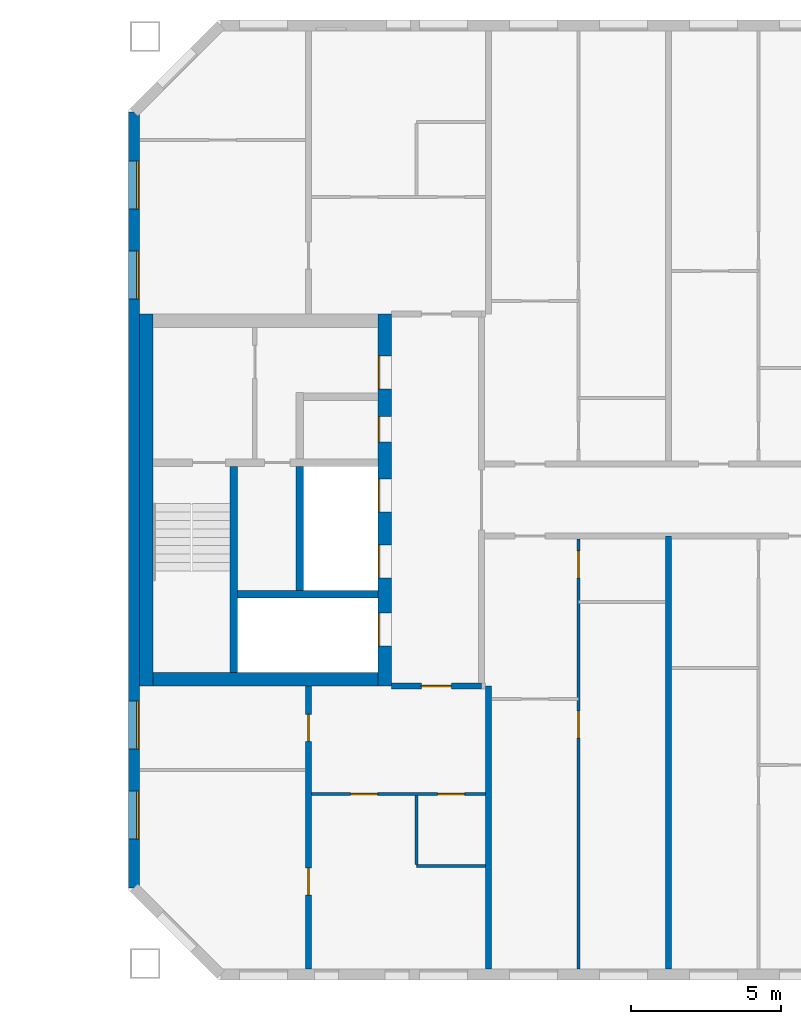
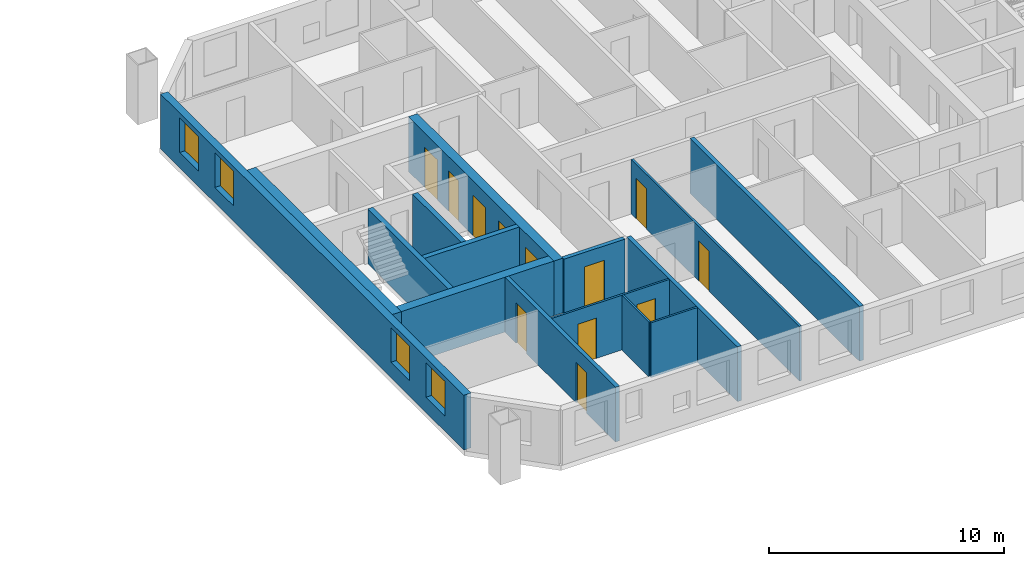
# One storey, part 9 of 16: 15 walls, 12 doors, 4 windows, 16 openings.
"""IFC4 building model written with IfcOpenShell, lengths in metres."""

from ifc_helpers import new_model, si_unit, direction, frame, frame_2d, origin, place, context, subcontext, project, spatial, rectangle, extrude, material, layer, layer_set, type_object, element, fill, save


model = new_model("IFC4")

# Units and contexts
model_context = context("Model", 3, precision=1e-05, world=origin(), true_north=direction((0.0, 1.0)))
body_context = subcontext(model_context, "Body", "Model", "MODEL_VIEW")
ifc_project = project(units=[si_unit("LENGTHUNIT", "METRE"), si_unit("AREAUNIT", "SQUARE_METRE"), si_unit("VOLUMEUNIT", "CUBIC_METRE"), si_unit("PLANEANGLEUNIT", "RADIAN"), si_unit("MASSUNIT", "GRAM", prefix="KILO")], contexts=[model_context])

# Site, building, storey
site_placement = place(None, origin())
site = spatial("IfcSite", under=ifc_project, at=site_placement, CompositionType="ELEMENT")
building_placement = place(site_placement, origin())
building = spatial("IfcBuilding", under=site, at=building_placement, Name="Tuart Gate Housing", CompositionType="ELEMENT")
storey_placement = place(building_placement, frame((0.0, 0.0, 178.89990234375)))
storey = spatial("IfcBuildingStorey", under=building, at=storey_placement, Name="L50", CompositionType="ELEMENT", Elevation=178.89990234375)

# Wall, openings, windows
ifc_material_1 = material(Name="Brick", Category="masonry")
ifc_layer_1 = layer(ifc_material_1, 0.360107421875)
ifc_layer_set_1 = layer_set([ifc_layer_1], Name="Brick pier and spandrel wall 360")
wall_type_1 = type_object("IfcWallType", Name="Brick pier and spandrel wall 360", PredefinedType="STANDARD", material=ifc_layer_set_1)
wall_1_placement = place(storey_placement, frame((131.179931640625, 82.92529296875, 0.0), z_axis=(0.0, 0.0, 1.0), x_axis=(0.0, -1.0, 0.0)))
wall_1 = element("IfcWall", 1, at=wall_1_placement, inside=storey, type_object=wall_type_1, Name="External wall B-W L50", PredefinedType="STANDARD", context=body_context, shape_type="SweptSolid", body=[
    extrude(rectangle(XDim=25.850830078125, YDim=0.360107421875, at=frame_2d((12.92529296875, 0.0))), origin(), (0.0, 0.0, 1.0), 2.85009765625),
])
opening_1_placement = place(wall_1_placement, frame((1.62548828125, 0.0, 0.800048828125)))
opening_1 = element("IfcOpeningElement", 2, at=opening_1_placement, cuts=wall_1, Name="Opening W1", PredefinedType="OPENING", context=body_context, shape_type="SweptSolid", body=[
    extrude(rectangle(XDim=1.60009765625, YDim=1.800048828125, at=frame_2d((0.800048828125, 0.89990234375))), frame((0.0, 0.18994140625, 0.0), z_axis=(0.0, -1.0, 0.0), x_axis=(1.0, 0.0, 0.0)), (0.0, 0.0, 1.0), 0.380126953125),
])
opening_2_placement = place(wall_1_placement, frame((4.62548828125, 0.0, 0.800048828125)))
opening_2 = element("IfcOpeningElement", 3, at=opening_2_placement, cuts=wall_1, Name="Opening W1", PredefinedType="OPENING", context=body_context, shape_type="SweptSolid", body=[
    extrude(rectangle(XDim=1.60009765625, YDim=1.800048828125, at=frame_2d((0.800048828125, 0.89990234375))), frame((0.0, 0.18994140625, 0.0), z_axis=(0.0, -1.0, 0.0), x_axis=(1.0, 0.0, 0.0)), (0.0, 0.0, 1.0), 0.380126953125),
])
opening_3_placement = place(wall_1_placement, frame((19.62548828125, 0.0, 0.800048828125)))
opening_3 = element("IfcOpeningElement", 4, at=opening_3_placement, cuts=wall_1, Name="Opening W1", PredefinedType="OPENING", context=body_context, shape_type="SweptSolid", body=[
    extrude(rectangle(XDim=1.60009765625, YDim=1.800048828125, at=frame_2d((0.800048828125, 0.89990234375))), frame((0.0, 0.18994140625, 0.0), z_axis=(0.0, -1.0, 0.0), x_axis=(1.0, 0.0, 0.0)), (0.0, 0.0, 1.0), 0.380126953125),
])
opening_4_placement = place(wall_1_placement, frame((22.62548828125, 0.0, 0.800048828125)))
opening_4 = element("IfcOpeningElement", 5, at=opening_4_placement, cuts=wall_1, Name="Opening W1", PredefinedType="OPENING", context=body_context, shape_type="SweptSolid", body=[
    extrude(rectangle(XDim=1.60009765625, YDim=1.800048828125, at=frame_2d((0.800048828125, 0.89990234375))), frame((0.0, 0.18994140625, 0.0), z_axis=(0.0, -1.0, 0.0), x_axis=(1.0, 0.0, 0.0)), (0.0, 0.0, 1.0), 0.380126953125),
])
ifc_material_2 = material(Name="Aluminium frame with clear glass", Category="aluminium")
window_type = type_object("IfcWindowType", Name="Punched window 1600 x 1800", PartitioningType="SINGLE_PANEL", PredefinedType="WINDOW", material=ifc_material_2)
window_1_placement = place(opening_1_placement, origin())
window_1 = element("IfcWindow", 6, at=window_1_placement, inside=storey, type_object=window_type, Name="Window W1", OverallHeight=1.800048828125, OverallWidth=1.60009765625, PartitioningType="SINGLE_PANEL", PredefinedType="WINDOW", context=body_context, shape_type="SweptSolid", body=[
    extrude(rectangle(XDim=1.60009765625, YDim=1.800048828125, at=frame_2d((0.800048828125, 0.89990234375))), frame((0.0, 0.150146484375, 0.0), z_axis=(0.0, -1.0, 0.0), x_axis=(1.0, 0.0, 0.0)), (0.0, 0.0, 1.0), 0.06005859375),
])
fill(opening_1, window_1)
window_2_placement = place(opening_2_placement, origin())
window_2 = element("IfcWindow", 7, at=window_2_placement, inside=storey, type_object=window_type, Name="Window W1", OverallHeight=1.800048828125, OverallWidth=1.60009765625, PartitioningType="SINGLE_PANEL", PredefinedType="WINDOW", context=body_context, shape_type="SweptSolid", body=[
    extrude(rectangle(XDim=1.60009765625, YDim=1.800048828125, at=frame_2d((0.800048828125, 0.89990234375))), frame((0.0, 0.150146484375, 0.0), z_axis=(0.0, -1.0, 0.0), x_axis=(1.0, 0.0, 0.0)), (0.0, 0.0, 1.0), 0.06005859375),
])
fill(opening_2, window_2)
window_3_placement = place(opening_3_placement, origin())
window_3 = element("IfcWindow", 8, at=window_3_placement, inside=storey, type_object=window_type, Name="Window W1", OverallHeight=1.800048828125, OverallWidth=1.60009765625, PartitioningType="SINGLE_PANEL", PredefinedType="WINDOW", context=body_context, shape_type="SweptSolid", body=[
    extrude(rectangle(XDim=1.60009765625, YDim=1.800048828125, at=frame_2d((0.800048828125, 0.89990234375))), frame((0.0, 0.150146484375, 0.0), z_axis=(0.0, -1.0, 0.0), x_axis=(1.0, 0.0, 0.0)), (0.0, 0.0, 1.0), 0.06005859375),
])
fill(opening_3, window_3)
window_4_placement = place(opening_4_placement, origin())
window_4 = element("IfcWindow", 9, at=window_4_placement, inside=storey, type_object=window_type, Name="Window W1", OverallHeight=1.800048828125, OverallWidth=1.60009765625, PartitioningType="SINGLE_PANEL", PredefinedType="WINDOW", context=body_context, shape_type="SweptSolid", body=[
    extrude(rectangle(XDim=1.60009765625, YDim=1.800048828125, at=frame_2d((0.800048828125, 0.89990234375))), frame((0.0, 0.150146484375, 0.0), z_axis=(0.0, -1.0, 0.0), x_axis=(1.0, 0.0, 0.0)), (0.0, 0.0, 1.0), 0.06005859375),
])
fill(opening_4, window_4)

# Walls
ifc_material_3 = material(Name="Concrete C40", Category="concrete")
ifc_layer_2 = layer(ifc_material_3, 0.25)
ifc_layer_set_2 = layer_set([ifc_layer_2], Name="Core wall 250 C40")
wall_type_2 = type_object("IfcWallType", Name="Core wall 250 C40", PredefinedType="SHEAR", material=ifc_layer_set_2)
wall_2_placement = place(storey_placement, frame((139.31005859375, 66.85009765625, 0.0), z_axis=(0.0, 0.0, 1.0), x_axis=(-1.0, 0.0, 0.0)))
element("IfcWall", 10, at=wall_2_placement, inside=storey, type_object=wall_type_2, Name="Core wall BG.1", PredefinedType="SHEAR", context=body_context, shape_type="SweptSolid", body=[
    extrude(rectangle(XDim=4.675048828125, YDim=0.25, at=frame_2d((2.33740234375, 0.0))), origin(), (0.0, 0.0, 1.0), 2.85009765625),
])
wall_3_placement = place(storey_placement, frame((136.7099609375, 66.97509765625, 0.0), z_axis=(0.0, 0.0, 1.0), x_axis=(0.0, 1.0, 0.0)))
element("IfcWall", 11, at=wall_3_placement, inside=storey, type_object=wall_type_2, Name="Core wall BG.4", PredefinedType="SHEAR", context=body_context, shape_type="SweptSolid", body=[
    extrude(rectangle(XDim=4.14990234375, YDim=0.25, at=frame_2d((2.074951171875, 0.0))), origin(), (0.0, 0.0, 1.0), 2.85009765625),
])
wall_4_placement = place(storey_placement, frame((134.510009765625, 64.25, 0.0), z_axis=(0.0, 0.0, 1.0), x_axis=(0.0, 1.0, 0.0)))
element("IfcWall", 12, at=wall_4_placement, inside=storey, type_object=wall_type_2, Name="Core wall BG.7", PredefinedType="SHEAR", context=body_context, shape_type="SweptSolid", body=[
    extrude(rectangle(XDim=6.875, YDim=0.25, at=frame_2d((3.4375, 0.0))), origin(), (0.0, 0.0, 1.0), 2.85009765625),
])

# Wall, openings, doors
ifc_material_4 = material(Name="Concrete C40", Category="concrete")
ifc_layer_3 = layer(ifc_material_4, 0.449951171875)
ifc_layer_set_3 = layer_set([ifc_layer_3], Name="Core wall 450 C40")
wall_type_3 = type_object("IfcWallType", Name="Core wall 450 C40", PredefinedType="SHEAR", material=ifc_layer_set_3)
wall_5_placement = place(storey_placement, frame((139.534912109375, 63.800048828125, 0.0), z_axis=(0.0, 0.0, 1.0), x_axis=(0.0, 1.0, 0.0)))
wall_5 = element("IfcWall", 13, at=wall_5_placement, inside=storey, type_object=wall_type_3, Name="Core wall BG front", PredefinedType="SHEAR", context=body_context, shape_type="SweptSolid", body=[
    extrude(rectangle(XDim=12.39990234375, YDim=0.449951171875, at=frame_2d((6.199951171875, 0.0))), origin(), (0.0, 0.0, 1.0), 2.85009765625),
])
opening_5_placement = place(wall_5_placement, frame((1.324951171875, 0.0, 0.0)))
opening_5 = element("IfcOpeningElement", 14, at=opening_5_placement, cuts=wall_5, Name="Opening LD-FB1", PredefinedType="OPENING", context=body_context, shape_type="SweptSolid", body=[
    extrude(rectangle(XDim=1.10009765625, YDim=2.10009765625, at=frame_2d((0.550048828125, 1.050048828125))), frame((0.0, 0.23486328125, 0.0), z_axis=(0.0, -1.0, 0.0), x_axis=(1.0, 0.0, 0.0)), (0.0, 0.0, 1.0), 0.469970703125),
])
opening_6_placement = place(wall_5_placement, frame((3.60009765625, 0.0, 0.0)))
opening_6 = element("IfcOpeningElement", 15, at=opening_6_placement, cuts=wall_5, Name="Opening LD-LB1", PredefinedType="OPENING", context=body_context, shape_type="SweptSolid", body=[
    extrude(rectangle(XDim=1.10009765625, YDim=2.10009765625, at=frame_2d((0.550048828125, 1.050048828125))), frame((0.0, 0.23486328125, 0.0), z_axis=(0.0, -1.0, 0.0), x_axis=(1.0, 0.0, 0.0)), (0.0, 0.0, 1.0), 0.469970703125),
])
opening_7_placement = place(wall_5_placement, frame((5.800048828125, 0.0, 0.0)))
opening_7 = element("IfcOpeningElement", 16, at=opening_7_placement, cuts=wall_5, Name="Opening LD-LB2", PredefinedType="OPENING", context=body_context, shape_type="SweptSolid", body=[
    extrude(rectangle(XDim=1.10009765625, YDim=2.10009765625, at=frame_2d((0.550048828125, 1.050048828125))), frame((0.0, 0.23486328125, 0.0), z_axis=(0.0, -1.0, 0.0), x_axis=(1.0, 0.0, 0.0)), (0.0, 0.0, 1.0), 0.469970703125),
])
opening_8_placement = place(wall_5_placement, frame((9.89990234375, 0.0, 0.0)))
opening_8 = element("IfcOpeningElement", 17, at=opening_8_placement, cuts=wall_5, Name="Opening D1813", PredefinedType="OPENING", context=body_context, shape_type="SweptSolid", body=[
    extrude(rectangle(XDim=1.10009765625, YDim=2.10009765625, at=frame_2d((0.550048828125, 1.050048828125))), frame((0.0, 0.23486328125, 0.0), z_axis=(0.0, -1.0, 0.0), x_axis=(1.0, 0.0, 0.0)), (0.0, 0.0, 1.0), 0.469970703125),
])
opening_9_placement = place(wall_5_placement, frame((8.125, 0.0, 0.0)))
opening_9 = element("IfcOpeningElement", 18, at=opening_9_placement, cuts=wall_5, Name="Opening D1814", PredefinedType="OPENING", context=body_context, shape_type="SweptSolid", body=[
    extrude(rectangle(XDim=0.85009765625, YDim=2.10009765625, at=frame_2d((0.425048828125, 1.050048828125))), frame((0.0, 0.23486328125, 0.0), z_axis=(0.0, -1.0, 0.0), x_axis=(1.0, 0.0, 0.0)), (0.0, 0.0, 1.0), 0.469970703125),
])
ifc_material_5 = material(Name="Stainless steel", Category="steel")
door_type_1 = type_object("IfcDoorType", Name="Landing door 1100 x 2100", OperationType="DOUBLE_DOOR_SLIDING", PredefinedType="DOOR", material=ifc_material_5)
door_1_placement = place(opening_5_placement, origin())
door_1 = element("IfcDoor", 19, at=door_1_placement, inside=storey, type_object=door_type_1, Name="Lift landing door FB1", OperationType="DOUBLE_DOOR_SLIDING", OverallHeight=2.10009765625, OverallWidth=1.10009765625, PredefinedType="DOOR", context=body_context, shape_type="SweptSolid", body=[
    extrude(rectangle(XDim=1.10009765625, YDim=2.10009765625, at=frame_2d((0.550048828125, 1.050048828125))), frame((0.0, 0.2099609375, 0.0), z_axis=(0.0, -1.0, 0.0), x_axis=(1.0, 0.0, 0.0)), (0.0, 0.0, 1.0), 0.050048828125),
])
fill(opening_5, door_1)
door_2_placement = place(opening_6_placement, origin())
door_2 = element("IfcDoor", 20, at=door_2_placement, inside=storey, type_object=door_type_1, Name="Lift landing door LB1", OperationType="DOUBLE_DOOR_SLIDING", OverallHeight=2.10009765625, OverallWidth=1.10009765625, PredefinedType="DOOR", context=body_context, shape_type="SweptSolid", body=[
    extrude(rectangle(XDim=1.10009765625, YDim=2.10009765625, at=frame_2d((0.550048828125, 1.050048828125))), frame((0.0, 0.2099609375, 0.0), z_axis=(0.0, -1.0, 0.0), x_axis=(1.0, 0.0, 0.0)), (0.0, 0.0, 1.0), 0.050048828125),
])
fill(opening_6, door_2)
door_3_placement = place(opening_7_placement, origin())
door_3 = element("IfcDoor", 21, at=door_3_placement, inside=storey, type_object=door_type_1, Name="Lift landing door LB2", OperationType="DOUBLE_DOOR_SLIDING", OverallHeight=2.10009765625, OverallWidth=1.10009765625, PredefinedType="DOOR", context=body_context, shape_type="SweptSolid", body=[
    extrude(rectangle(XDim=1.10009765625, YDim=2.10009765625, at=frame_2d((0.550048828125, 1.050048828125))), frame((0.0, 0.2099609375, 0.0), z_axis=(0.0, -1.0, 0.0), x_axis=(1.0, 0.0, 0.0)), (0.0, 0.0, 1.0), 0.050048828125),
])
fill(opening_7, door_3)
ifc_material_6 = material(Name="Steel fire door", Category="steel")
door_type_2 = type_object("IfcDoorType", Name="Lobby door 1100 x 2100", OperationType="SINGLE_SWING_LEFT", PredefinedType="DOOR", material=ifc_material_6)
door_4_placement = place(opening_8_placement, origin())
door_4 = element("IfcDoor", 22, at=door_4_placement, inside=storey, type_object=door_type_2, Name="Lobby entry door BG.EN", OperationType="SINGLE_SWING_LEFT", OverallHeight=2.10009765625, OverallWidth=1.10009765625, PredefinedType="DOOR", context=body_context, shape_type="SweptSolid", body=[
    extrude(rectangle(XDim=1.10009765625, YDim=2.10009765625, at=frame_2d((0.550048828125, 1.050048828125))), frame((0.0, 0.2099609375, 0.0), z_axis=(0.0, -1.0, 0.0), x_axis=(1.0, 0.0, 0.0)), (0.0, 0.0, 1.0), 0.050048828125),
])
fill(opening_8, door_4)
ifc_material_7 = material(Name="Steel fire door", Category="steel")
door_type_3 = type_object("IfcDoorType", Name="Service door 850 x 2100", OperationType="SINGLE_SWING_LEFT", PredefinedType="DOOR", material=ifc_material_7)
door_5_placement = place(opening_9_placement, origin())
door_5 = element("IfcDoor", 23, at=door_5_placement, inside=storey, type_object=door_type_3, Name="Service room door BG.T1", OperationType="SINGLE_SWING_LEFT", OverallHeight=2.10009765625, OverallWidth=0.85009765625, PredefinedType="DOOR", context=body_context, shape_type="SweptSolid", body=[
    extrude(rectangle(XDim=0.85009765625, YDim=2.10009765625, at=frame_2d((0.425048828125, 1.050048828125))), frame((0.0, 0.2099609375, 0.0), z_axis=(0.0, -1.0, 0.0), x_axis=(1.0, 0.0, 0.0)), (0.0, 0.0, 1.0), 0.050048828125),
])
fill(opening_9, door_5)

# Walls
wall_6_placement = place(storey_placement, frame((131.5849609375, 63.800048828125, 0.0), z_axis=(0.0, 0.0, 1.0), x_axis=(0.0, 1.0, 0.0)))
element("IfcWall", 24, at=wall_6_placement, inside=storey, type_object=wall_type_3, Name="Core wall BG back", PredefinedType="SHEAR", context=body_context, shape_type="SweptSolid", body=[
    extrude(rectangle(XDim=12.39990234375, YDim=0.449951171875, at=frame_2d((6.199951171875, 0.0))), origin(), (0.0, 0.0, 1.0), 2.85009765625),
])
wall_7_placement = place(storey_placement, frame((139.31005859375, 64.02490234375, 0.0), z_axis=(0.0, 0.0, 1.0), x_axis=(-1.0, 0.0, 0.0)))
element("IfcWall", 25, at=wall_7_placement, inside=storey, type_object=wall_type_3, Name="Core wall BG south", PredefinedType="SHEAR", context=body_context, shape_type="SweptSolid", body=[
    extrude(rectangle(XDim=7.5, YDim=0.449951171875, at=frame_2d((3.75, 0.0))), origin(), (0.0, 0.0, 1.0), 2.85009765625),
])

# Wall, opening, door
ifc_material_8 = material(Name="Concrete masonry 15 MPa", Category="masonry")
ifc_layer_4 = layer(ifc_material_8, 0.199951171875)
ifc_layer_set_4 = layer_set([ifc_layer_4], Name="Enclosure wall masonry 200")
wall_type_4 = type_object("IfcWallType", Name="Enclosure wall masonry 200", PredefinedType="PARTITIONING", material=ifc_layer_set_4)
wall_8_placement = place(storey_placement, frame((139.760009765625, 63.800048828125, 0.0), z_axis=(0.0, 0.0, 1.0), x_axis=(1.0, 0.0, 0.0)))
wall_8 = element("IfcWall", 26, at=wall_8_placement, inside=storey, type_object=wall_type_4, Name="Enclosure wall masonry 200", PredefinedType="PARTITIONING", context=body_context, shape_type="SweptSolid", body=[
    extrude(rectangle(XDim=3.0, YDim=0.199951171875, at=frame_2d((1.5, 0.0))), origin(), (0.0, 0.0, 1.0), 2.85009765625),
])
opening_10_placement = place(wall_8_placement, frame((1.0, 0.0, 0.0)))
opening_10 = element("IfcOpeningElement", 27, at=opening_10_placement, cuts=wall_8, Name="Opening D1824", PredefinedType="OPENING", context=body_context, shape_type="SweptSolid", body=[
    extrude(rectangle(XDim=1.0, YDim=2.10009765625, at=frame_2d((0.5, 1.050048828125))), frame((0.0, 0.10986328125, 0.0), z_axis=(0.0, -1.0, 0.0), x_axis=(1.0, 0.0, 0.0)), (0.0, 0.0, 1.0), 0.219970703125),
])
ifc_material_9 = material(Name="Timber door leaf in steel frame", Category="steel")
door_type_4 = type_object("IfcDoorType", Name="Flat entrance door 1000", OperationType="SINGLE_SWING_LEFT", PredefinedType="DOOR", material=ifc_material_9)
door_6_placement = place(opening_10_placement, frame((1.0, 0.0, 0.0), z_axis=(0.0, 0.0, 1.0), x_axis=(-1.0, 0.0, 0.0)))
door_6 = element("IfcDoor", 28, at=door_6_placement, inside=storey, type_object=door_type_4, Name="Flat entrance door", OperationType="SINGLE_SWING_LEFT", OverallHeight=2.10009765625, OverallWidth=1.0, PredefinedType="DOOR", context=body_context, shape_type="SweptSolid", body=[
    extrude(rectangle(XDim=1.0, YDim=2.10009765625, at=frame_2d((0.5, 1.050048828125))), frame((0.0, 0.025146484375, 0.0), z_axis=(0.0, -1.0, 0.0), x_axis=(1.0, 0.0, 0.0)), (0.0, 0.0, 1.0), 0.050048828125),
])
fill(opening_10, door_6)

# Wall
ifc_material_10 = material(Name="Gypsum board on steel studs", Category="steel")
ifc_layer_5 = layer(ifc_material_10, 0.10009765625)
ifc_layer_set_5 = layer_set([ifc_layer_5], Name="Partition 100")
wall_type_5 = type_object("IfcWallType", Name="Partition 100", PredefinedType="PARTITIONING", material=ifc_layer_set_5)
wall_9_placement = place(storey_placement, frame((140.60009765625, 57.800048828125, 0.0), z_axis=(0.0, 0.0, 1.0), x_axis=(1.0, 0.0, 0.0)))
element("IfcWall", 29, at=wall_9_placement, inside=storey, type_object=wall_type_5, Name="Partition 100", PredefinedType="PARTITIONING", context=body_context, shape_type="SweptSolid", body=[
    extrude(rectangle(XDim=2.2998046875, YDim=0.10009765625, at=frame_2d((1.14990234375, 0.0))), origin(), (0.0, 0.0, 1.0), 2.85009765625),
])

# Wall, openings, doors
wall_10_placement = place(storey_placement, frame((137.10009765625, 60.199951171875, 0.0), z_axis=(0.0, 0.0, 1.0), x_axis=(1.0, 0.0, 0.0)))
wall_10 = element("IfcWall", 30, at=wall_10_placement, inside=storey, type_object=wall_type_5, Name="Partition 100", PredefinedType="PARTITIONING", context=body_context, shape_type="SweptSolid", body=[
    extrude(rectangle(XDim=5.7998046875, YDim=0.10009765625, at=frame_2d((2.89990234375, 0.0))), origin(), (0.0, 0.0, 1.0), 2.85009765625),
])
opening_11_placement = place(wall_10_placement, frame((1.300048828125, 0.0, 0.0)))
opening_11 = element("IfcOpeningElement", 31, at=opening_11_placement, cuts=wall_10, Name="Opening D1835", PredefinedType="OPENING", context=body_context, shape_type="SweptSolid", body=[
    extrude(rectangle(XDim=0.89990234375, YDim=2.10009765625, at=frame_2d((0.449951171875, 1.050048828125))), frame((0.0, 0.06005859375, 0.0), z_axis=(0.0, -1.0, 0.0), x_axis=(1.0, 0.0, 0.0)), (0.0, 0.0, 1.0), 0.1201171875),
])
opening_12_placement = place(wall_10_placement, frame((4.199951171875, 0.0, 0.0)))
opening_12 = element("IfcOpeningElement", 32, at=opening_12_placement, cuts=wall_10, Name="Opening D1834", PredefinedType="OPENING", context=body_context, shape_type="SweptSolid", body=[
    extrude(rectangle(XDim=0.89990234375, YDim=2.10009765625, at=frame_2d((0.449951171875, 1.050048828125))), frame((0.0, 0.06005859375, 0.0), z_axis=(0.0, -1.0, 0.0), x_axis=(1.0, 0.0, 0.0)), (0.0, 0.0, 1.0), 0.1201171875),
])
ifc_material_11 = material(Name="Timber door leaf in steel frame", Category="steel")
door_type_5 = type_object("IfcDoorType", Name="Bathroom door 900 RH", OperationType="SINGLE_SWING_RIGHT", PredefinedType="DOOR", material=ifc_material_11)
door_7_placement = place(opening_12_placement, frame((0.89990234375, 0.0, 0.0), z_axis=(0.0, 0.0, 1.0), x_axis=(-1.0, 0.0, 0.0)))
door_7 = element("IfcDoor", 33, at=door_7_placement, inside=storey, type_object=door_type_5, Name="Bathroom door", OperationType="SINGLE_SWING_RIGHT", OverallHeight=2.10009765625, OverallWidth=0.89990234375, PredefinedType="DOOR", context=body_context, shape_type="SweptSolid", body=[
    extrude(rectangle(XDim=0.89990234375, YDim=2.10009765625, at=frame_2d((0.449951171875, 1.050048828125))), frame((0.0, 0.025146484375, 0.0), z_axis=(0.0, -1.0, 0.0), x_axis=(1.0, 0.0, 0.0)), (0.0, 0.0, 1.0), 0.050048828125),
])
fill(opening_12, door_7)
ifc_material_12 = material(Name="Timber door leaf in steel frame", Category="steel")
door_type_6 = type_object("IfcDoorType", Name="Internal door 900", OperationType="SINGLE_SWING_LEFT", PredefinedType="DOOR", material=ifc_material_12)
door_8_placement = place(opening_11_placement, origin())
door_8 = element("IfcDoor", 34, at=door_8_placement, inside=storey, type_object=door_type_6, Name="Internal door", OperationType="SINGLE_SWING_LEFT", OverallHeight=2.10009765625, OverallWidth=0.89990234375, PredefinedType="DOOR", context=body_context, shape_type="SweptSolid", body=[
    extrude(rectangle(XDim=0.89990234375, YDim=2.10009765625, at=frame_2d((0.449951171875, 1.050048828125))), frame((0.0, 0.02490234375, 0.0), z_axis=(0.0, -1.0, 0.0), x_axis=(1.0, 0.0, 0.0)), (0.0, 0.0, 1.0), 0.050048828125),
])
fill(opening_11, door_8)

# Wall
wall_11_placement = place(storey_placement, frame((140.60009765625, 57.85009765625, 0.0), z_axis=(0.0, 0.0, 1.0), x_axis=(0.0, 1.0, 0.0)))
element("IfcWall", 35, at=wall_11_placement, inside=storey, type_object=wall_type_5, Name="Partition 100", PredefinedType="PARTITIONING", context=body_context, shape_type="SweptSolid", body=[
    extrude(rectangle(XDim=2.2998046875, YDim=0.10009765625, at=frame_2d((1.14990234375, 0.0))), origin(), (0.0, 0.0, 1.0), 2.85009765625),
])

# Wall, openings, doors
wall_12_placement = place(storey_placement, frame((146.0, 54.360107421875, 0.0), z_axis=(0.0, 0.0, 1.0), x_axis=(0.0, 1.0, 0.0)))
wall_12 = element("IfcWall", 36, at=wall_12_placement, inside=storey, type_object=wall_type_5, Name="Partition 100", PredefinedType="PARTITIONING", context=body_context, shape_type="SweptSolid", body=[
    extrude(rectangle(XDim=14.33984375, YDim=0.10009765625, at=frame_2d((7.169921875, 0.0))), origin(), (0.0, 0.0, 1.0), 2.85009765625),
])
opening_13_placement = place(wall_12_placement, frame((7.699951171875, 0.0, 0.0)))
opening_13 = element("IfcOpeningElement", 37, at=opening_13_placement, cuts=wall_12, Name="Opening D1828", PredefinedType="OPENING", context=body_context, shape_type="SweptSolid", body=[
    extrude(rectangle(XDim=0.89990234375, YDim=2.10009765625, at=frame_2d((0.449951171875, 1.050048828125))), frame((0.0, 0.06005859375, 0.0), z_axis=(0.0, -1.0, 0.0), x_axis=(1.0, 0.0, 0.0)), (0.0, 0.0, 1.0), 0.1201171875),
])
opening_14_placement = place(wall_12_placement, frame((13.0400390625, 0.0, 0.0)))
opening_14 = element("IfcOpeningElement", 38, at=opening_14_placement, cuts=wall_12, Name="Opening D1827", PredefinedType="OPENING", context=body_context, shape_type="SweptSolid", body=[
    extrude(rectangle(XDim=0.89990234375, YDim=2.10009765625, at=frame_2d((0.449951171875, 1.050048828125))), frame((0.0, 0.06005859375, 0.0), z_axis=(0.0, -1.0, 0.0), x_axis=(1.0, 0.0, 0.0)), (0.0, 0.0, 1.0), 0.1201171875),
])
ifc_material_13 = material(Name="Timber door leaf in steel frame", Category="steel")
door_type_7 = type_object("IfcDoorType", Name="Bathroom door 900", OperationType="SINGLE_SWING_LEFT", PredefinedType="DOOR", material=ifc_material_13)
door_9_placement = place(opening_14_placement, frame((0.89990234375, 0.0, 0.0), z_axis=(0.0, 0.0, 1.0), x_axis=(-1.0, 0.0, 0.0)))
door_9 = element("IfcDoor", 39, at=door_9_placement, inside=storey, type_object=door_type_7, Name="Bathroom door", OperationType="SINGLE_SWING_LEFT", OverallHeight=2.10009765625, OverallWidth=0.89990234375, PredefinedType="DOOR", context=body_context, shape_type="SweptSolid", body=[
    extrude(rectangle(XDim=0.89990234375, YDim=2.10009765625, at=frame_2d((0.449951171875, 1.050048828125))), frame((0.0, 0.025146484375, 0.0), z_axis=(0.0, -1.0, 0.0), x_axis=(1.0, 0.0, 0.0)), (0.0, 0.0, 1.0), 0.050048828125),
])
fill(opening_14, door_9)
door_10_placement = place(opening_13_placement, frame((0.89990234375, 0.0, 0.0), z_axis=(0.0, 0.0, 1.0), x_axis=(-1.0, 0.0, 0.0)))
door_10 = element("IfcDoor", 40, at=door_10_placement, inside=storey, type_object=door_type_6, Name="Internal door", OperationType="SINGLE_SWING_LEFT", OverallHeight=2.10009765625, OverallWidth=0.89990234375, PredefinedType="DOOR", context=body_context, shape_type="SweptSolid", body=[
    extrude(rectangle(XDim=0.89990234375, YDim=2.10009765625, at=frame_2d((0.449951171875, 1.050048828125))), frame((0.0, 0.025146484375, 0.0), z_axis=(0.0, -1.0, 0.0), x_axis=(1.0, 0.0, 0.0)), (0.0, 0.0, 1.0), 0.050048828125),
])
fill(opening_13, door_10)

ifc_material_14 = material(Name="Concrete C40", Category="concrete")
ifc_layer_6 = layer(ifc_material_14, 0.199951171875)
ifc_layer_set_6 = layer_set([ifc_layer_6], Name="Party wall concrete C40 200")
wall_type_6 = type_object("IfcWallType", Name="Party wall concrete C40 200", PredefinedType="SOLIDWALL", material=ifc_layer_set_6)
wall_13_placement = place(storey_placement, frame((137.0, 54.360107421875, 0.0), z_axis=(0.0, 0.0, 1.0), x_axis=(0.0, 1.0, 0.0)))
wall_13 = element("IfcWall", 41, at=wall_13_placement, inside=storey, type_object=wall_type_6, Name="Party wall concrete C40 200", PredefinedType="SOLIDWALL", context=body_context, shape_type="SweptSolid", body=[
    extrude(rectangle(XDim=9.43994140625, YDim=0.199951171875, at=frame_2d((4.719970703125, 0.0))), origin(), (0.0, 0.0, 1.0), 2.85009765625),
])
opening_15_placement = place(wall_13_placement, frame((2.469970703125, 0.0, 0.0)))
opening_15 = element("IfcOpeningElement", 42, at=opening_15_placement, cuts=wall_13, Name="Opening D1838", PredefinedType="OPENING", context=body_context, shape_type="SweptSolid", body=[
    extrude(rectangle(XDim=0.89990234375, YDim=2.10009765625, at=frame_2d((0.449951171875, 1.050048828125))), frame((0.0, 0.10986328125, 0.0), z_axis=(0.0, -1.0, 0.0), x_axis=(1.0, 0.0, 0.0)), (0.0, 0.0, 1.0), 0.219970703125),
])
opening_16_placement = place(wall_13_placement, frame((7.590087890625, 0.0, 0.0)))
opening_16 = element("IfcOpeningElement", 43, at=opening_16_placement, cuts=wall_13, Name="Opening D1839", PredefinedType="OPENING", context=body_context, shape_type="SweptSolid", body=[
    extrude(rectangle(XDim=0.89990234375, YDim=2.10009765625, at=frame_2d((0.449951171875, 1.050048828125))), frame((0.0, 0.10986328125, 0.0), z_axis=(0.0, -1.0, 0.0), x_axis=(1.0, 0.0, 0.0)), (0.0, 0.0, 1.0), 0.219970703125),
])
door_11_placement = place(opening_15_placement, origin())
door_11 = element("IfcDoor", 44, at=door_11_placement, inside=storey, type_object=door_type_6, Name="Internal door", OperationType="SINGLE_SWING_LEFT", OverallHeight=2.10009765625, OverallWidth=0.89990234375, PredefinedType="DOOR", context=body_context, shape_type="SweptSolid", body=[
    extrude(rectangle(XDim=0.89990234375, YDim=2.10009765625, at=frame_2d((0.449951171875, 1.050048828125))), frame((0.0, 0.02490234375, 0.0), z_axis=(0.0, -1.0, 0.0), x_axis=(1.0, 0.0, 0.0)), (0.0, 0.0, 1.0), 0.050048828125),
])
fill(opening_15, door_11)
door_12_placement = place(opening_16_placement, origin())
door_12 = element("IfcDoor", 45, at=door_12_placement, inside=storey, type_object=door_type_6, Name="Internal door", OperationType="SINGLE_SWING_LEFT", OverallHeight=2.10009765625, OverallWidth=0.89990234375, PredefinedType="DOOR", context=body_context, shape_type="SweptSolid", body=[
    extrude(rectangle(XDim=0.89990234375, YDim=2.10009765625, at=frame_2d((0.449951171875, 1.050048828125))), frame((0.0, 0.02490234375, 0.0), z_axis=(0.0, -1.0, 0.0), x_axis=(1.0, 0.0, 0.0)), (0.0, 0.0, 1.0), 0.050048828125),
])
fill(opening_16, door_12)

# Walls
wall_14_placement = place(storey_placement, frame((143.0, 54.360107421875, 0.0), z_axis=(0.0, 0.0, 1.0), x_axis=(0.0, 1.0, 0.0)))
element("IfcWall", 46, at=wall_14_placement, inside=storey, type_object=wall_type_6, Name="Party wall concrete C40 200", PredefinedType="SOLIDWALL", context=body_context, shape_type="SweptSolid", body=[
    extrude(rectangle(XDim=9.43994140625, YDim=0.199951171875, at=frame_2d((4.719970703125, 0.0))), origin(), (0.0, 0.0, 1.0), 2.85009765625),
])
wall_15_placement = place(storey_placement, frame((149.0, 54.360107421875, 0.0), z_axis=(0.0, 0.0, 1.0), x_axis=(0.0, 1.0, 0.0)))
element("IfcWall", 47, at=wall_15_placement, inside=storey, type_object=wall_type_6, Name="Party wall concrete C40 200", PredefinedType="SOLIDWALL", context=body_context, shape_type="SweptSolid", body=[
    extrude(rectangle(XDim=14.43994140625, YDim=0.199951171875, at=frame_2d((7.219970703125, 0.0))), origin(), (0.0, 0.0, 1.0), 2.85009765625),
])

save(model, "model.ifc")
